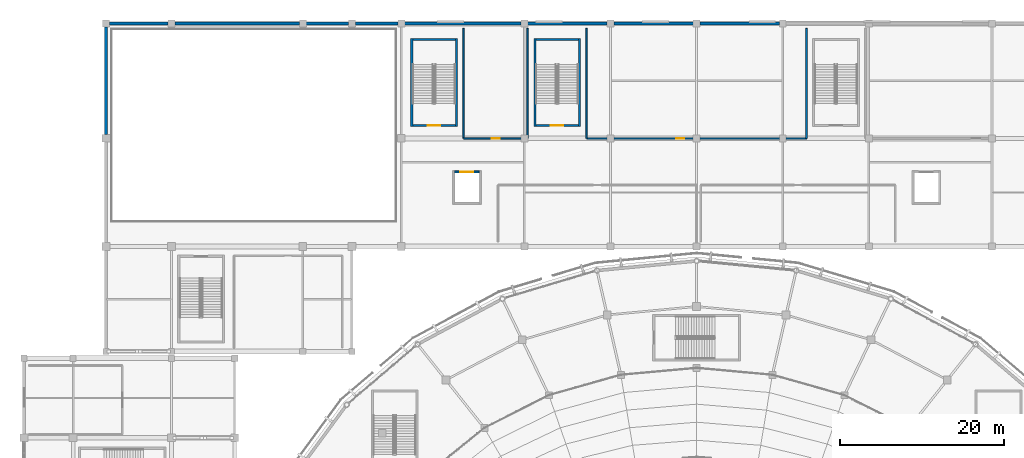
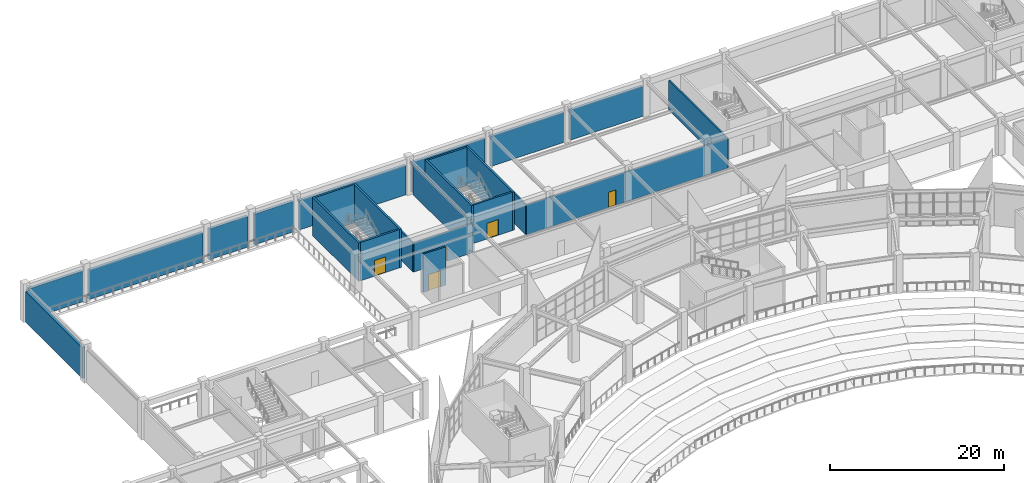
# One storey, part 84 of 120: 24 walls, 5 doors, 5 openings.
"""IFC4 building model written with IfcOpenShell, lengths in metres."""

from ifc_helpers import new_model, si_unit, direction, frame, frame_2d, origin, place, context, subcontext, project, spatial, rectangle, extrude, material, layer, layer_set, type_object, element, fill, save


model = new_model("IFC4")

# Units and contexts
model_context = context("Model", 3, precision=1e-05, world=origin(), true_north=direction((0.0, 1.0)))
body_context = subcontext(model_context, "Body", "Model", "MODEL_VIEW")
ifc_project = project(units=[si_unit("LENGTHUNIT", "METRE"), si_unit("AREAUNIT", "SQUARE_METRE"), si_unit("VOLUMEUNIT", "CUBIC_METRE"), si_unit("PLANEANGLEUNIT", "RADIAN"), si_unit("MASSUNIT", "GRAM", prefix="KILO")], contexts=[model_context])

# Site, building, storey
site_placement = place(None, origin())
site = spatial("IfcSite", under=ifc_project, at=site_placement, CompositionType="ELEMENT")
building_placement = place(site_placement, origin())
building = spatial("IfcBuilding", under=site, at=building_placement, Name="Cuetzalor Civic Arena", CompositionType="ELEMENT")
storey_placement = place(building_placement, frame((0.0, 0.0, 6.0)))
storey = spatial("IfcBuildingStorey", under=building, at=storey_placement, Name="L01", CompositionType="ELEMENT", Elevation=6.0)

# Walls
ifc_material_1 = material(Name="Dark volcanic basalt ashlar on Concrete C35/45", Category="masonry")
ifc_layer_1 = layer(ifc_material_1, 0.35009765625)
ifc_layer_set_1 = layer_set([ifc_layer_1], Name="Dark volcanic basalt ashlar on Concrete C35/45")
wall_type_1 = type_object("IfcWallType", Name="BasaltAshlarWall_350", PredefinedType="SOLIDWALL", material=ifc_layer_set_1)
wall_1_placement = place(storey_placement, frame((-71.593017578125, 75.5, 0.0), z_axis=(0.0, 0.0, 1.0), x_axis=(1.0, 0.0, 0.0)))
element("IfcWall", 1, at=wall_1_placement, inside=storey, type_object=wall_type_1, Name="North Basalt Facade Wall L01-201", PredefinedType="SOLIDWALL", context=body_context, shape_type="SweptSolid", body=[
    extrude(rectangle(XDim=7.18603515625, YDim=0.35009765625, at=frame_2d((3.593017578125, 0.0))), origin(), (0.0, 0.0, 1.0), 4.320068359375),
])
wall_2_placement = place(storey_placement, frame((-63.593017578125, 75.5, 0.0), z_axis=(0.0, 0.0, 1.0), x_axis=(1.0, 0.0, 0.0)))
element("IfcWall", 2, at=wall_2_placement, inside=storey, type_object=wall_type_1, Name="North Basalt Facade Wall L01-202", PredefinedType="SOLIDWALL", context=body_context, shape_type="SweptSolid", body=[
    extrude(rectangle(XDim=15.18603515625, YDim=0.35009765625, at=frame_2d((7.593017578125, 0.0))), origin(), (0.0, 0.0, 1.0), 4.1201171875),
])
for number, where, z_axis, x_axis, name in (
    (3, (-47.593017578125, 75.5, 0.0), (0.0, 0.0, 1.0), (1.0, 0.0, 0.0), "North Basalt Facade Wall L01-203"),
    (4, (-41.593017578125, 75.5, 0.0), (0.0, 0.0, 1.0), (1.0, 0.0, 0.0), "North Basalt Facade Wall L01-204"),
):
    element("IfcWall", number, at=place(storey_placement, frame(where, z_axis=z_axis, x_axis=x_axis)), inside=storey, type_object=wall_type_1, Name=name, PredefinedType="SOLIDWALL", context=body_context, shape_type="SweptSolid", body=[
        extrude(rectangle(XDim=5.18603515625, YDim=0.35009765625, at=frame_2d((2.593017578125, 0.0))), origin(), (0.0, 0.0, 1.0), 4.320068359375),
    ])
wall_3_placement = place(storey_placement, frame((-35.593017578125, 75.5, 0.0), z_axis=(0.0, 0.0, 1.0), x_axis=(1.0, 0.0, 0.0)))
element("IfcWall", 5, at=wall_3_placement, inside=storey, type_object=wall_type_1, Name="North Basalt Facade Wall L01-205", PredefinedType="SOLIDWALL", context=body_context, shape_type="SweptSolid", body=[
    extrude(rectangle(XDim=14.18603515625, YDim=0.35009765625, at=frame_2d((7.093017578125, 0.0))), origin(), (0.0, 0.0, 1.0), 4.1201171875),
])
for number, where, z_axis, x_axis, name in (
    (6, (-20.593017578125, 75.5, 0.0), (0.0, 0.0, 1.0), (1.0, 0.0, 0.0), "North Basalt Facade Wall L01-206"),
    (7, (-10.093017578125, 75.5, 0.0), (0.0, 0.0, 1.0), (1.0, 0.0, 0.0), "North Basalt Facade Wall L01-207"),
    (8, (0.406982421875, 75.5, 0.0), (0.0, 0.0, 1.0), (1.0, 0.0, 0.0), "North Basalt Facade Wall L01-208"),
):
    element("IfcWall", number, at=place(storey_placement, frame(where, z_axis=z_axis, x_axis=x_axis)), inside=storey, type_object=wall_type_1, Name=name, PredefinedType="SOLIDWALL", context=body_context, shape_type="SweptSolid", body=[
        extrude(rectangle(XDim=9.68603515625, YDim=0.35009765625, at=frame_2d((4.843017578125, 0.0))), origin(), (0.0, 0.0, 1.0), 4.219970703125),
    ])
wall_4_placement = place(storey_placement, frame((-72.0, 61.95703125, 0.0), z_axis=(0.0, 0.0, 1.0), x_axis=(0.0, 1.0, 0.0)))
element("IfcWall", 9, at=wall_4_placement, inside=storey, type_object=wall_type_1, Name="North Wing West Basalt Wall L01-243", PredefinedType="SOLIDWALL", context=body_context, shape_type="SweptSolid", body=[
    extrude(rectangle(XDim=13.135986328125, YDim=0.35009765625, at=frame_2d((6.56787109375, 0.0))), origin(), (0.0, 0.0, 1.0), 4.320068359375),
])
ifc_material_2 = material(Name="Concrete C40/50", Category="concrete")
ifc_layer_2 = layer(ifc_material_2, 0.25)
ifc_layer_set_2 = layer_set([ifc_layer_2], Name="Concrete C40/50")
wall_type_2 = type_object("IfcWallType", Name="ConcreteCoreShearWall_250", PredefinedType="SHEAR", material=ifc_layer_set_2)
wall_5_placement = place(storey_placement, frame((-34.72509765625, 62.949951171875, 0.0), z_axis=(0.0, 0.0, 1.0), x_axis=(0.0, 1.0, 0.0)))
element("IfcWall", 10, at=wall_5_placement, inside=storey, type_object=wall_type_2, Name="Stair Core Shear Wall ST-24-L01-W", PredefinedType="SHEAR", context=body_context, shape_type="SweptSolid", body=[
    extrude(rectangle(XDim=10.699951171875, YDim=0.25, at=frame_2d((5.35009765625, 0.0))), origin(), (0.0, 0.0, 1.0), 5.39990234375),
])
wall_6_placement = place(storey_placement, frame((-34.60009765625, 73.52490234375, 0.0), z_axis=(0.0, 0.0, 1.0), x_axis=(1.0, 0.0, 0.0)))
element("IfcWall", 11, at=wall_6_placement, inside=storey, type_object=wall_type_2, Name="Stair Core Shear Wall ST-24-L01-N", PredefinedType="SHEAR", context=body_context, shape_type="SweptSolid", body=[
    extrude(rectangle(XDim=5.2001953125, YDim=0.25, at=frame_2d((2.60009765625, 0.0))), origin(), (0.0, 0.0, 1.0), 5.39990234375),
])
wall_7_placement = place(storey_placement, frame((-29.27490234375, 73.64990234375, 0.0), z_axis=(0.0, 0.0, 1.0), x_axis=(0.0, -1.0, 0.0)))
element("IfcWall", 12, at=wall_7_placement, inside=storey, type_object=wall_type_2, Name="Stair Core Shear Wall ST-24-L01-E", PredefinedType="SHEAR", context=body_context, shape_type="SweptSolid", body=[
    extrude(rectangle(XDim=10.699951171875, YDim=0.25, at=frame_2d((5.35009765625, 0.0))), origin(), (0.0, 0.0, 1.0), 5.39990234375),
])

# Wall, opening, door
wall_8_placement = place(storey_placement, frame((-29.39990234375, 63.074951171875, 0.0), z_axis=(0.0, 0.0, 1.0), x_axis=(-1.0, 0.0, 0.0)))
wall_8 = element("IfcWall", 13, at=wall_8_placement, inside=storey, type_object=wall_type_2, Name="Stair Core Shear Wall ST-24-L01-S", PredefinedType="SHEAR", context=body_context, shape_type="SweptSolid", body=[
    extrude(rectangle(XDim=5.2001953125, YDim=0.25, at=frame_2d((2.60009765625, 0.0))), origin(), (0.0, 0.0, 1.0), 5.39990234375),
])
opening_1_placement = place(wall_8_placement, frame((1.85009765625, 0.0, 0.0)))
opening_1 = element("IfcOpeningElement", 14, at=opening_1_placement, cuts=wall_8, Name="Opening FD-03", PredefinedType="OPENING", context=body_context, shape_type="SweptSolid", body=[
    extrude(rectangle(XDim=1.5, YDim=2.199951171875, at=frame_2d((0.75, 1.10009765625))), frame((0.0, 0.135009765625, 0.0), z_axis=(0.0, -1.0, 0.0), x_axis=(1.0, 0.0, 0.0)), (0.0, 0.0, 1.0), 0.27001953125),
])
ifc_material_3 = material(Name="Fire-rated steel stair exit double door", Category="steel")
door_type_1 = type_object("IfcDoorType", Name="StairFireDoubleDoor_1500x2200", OperationType="DOUBLE_DOOR_SINGLE_SWING", PredefinedType="DOOR", material=ifc_material_3)
door_1_placement = place(opening_1_placement, origin())
door_1 = element("IfcDoor", 15, at=door_1_placement, inside=storey, type_object=door_type_1, Name="Fire Stair Door ST-24 L01", OperationType="DOUBLE_DOOR_SINGLE_SWING", OverallHeight=2.199951171875, OverallWidth=1.5, PredefinedType="DOOR", context=body_context, shape_type="SweptSolid", body=[
    extrude(rectangle(XDim=1.5, YDim=2.199951171875, at=frame_2d((0.75, 1.10009765625))), frame((0.0, 0.02490234375, 0.0), z_axis=(0.0, -1.0, 0.0), x_axis=(1.0, 0.0, 0.0)), (0.0, 0.0, 1.0), 0.050048828125),
])
fill(opening_1, door_1)

# Walls
wall_9_placement = place(storey_placement, frame((-19.72509765625, 62.949951171875, 0.0), z_axis=(0.0, 0.0, 1.0), x_axis=(0.0, 1.0, 0.0)))
element("IfcWall", 16, at=wall_9_placement, inside=storey, type_object=wall_type_2, Name="Stair Core Shear Wall ST-25-L01-W", PredefinedType="SHEAR", context=body_context, shape_type="SweptSolid", body=[
    extrude(rectangle(XDim=10.699951171875, YDim=0.25, at=frame_2d((5.35009765625, 0.0))), origin(), (0.0, 0.0, 1.0), 5.39990234375),
])
wall_10_placement = place(storey_placement, frame((-19.60009765625, 73.52490234375, 0.0), z_axis=(0.0, 0.0, 1.0), x_axis=(1.0, 0.0, 0.0)))
element("IfcWall", 17, at=wall_10_placement, inside=storey, type_object=wall_type_2, Name="Stair Core Shear Wall ST-25-L01-N", PredefinedType="SHEAR", context=body_context, shape_type="SweptSolid", body=[
    extrude(rectangle(XDim=5.2001953125, YDim=0.25, at=frame_2d((2.60009765625, 0.0))), origin(), (0.0, 0.0, 1.0), 5.39990234375),
])
wall_11_placement = place(storey_placement, frame((-14.27490234375, 73.64990234375, 0.0), z_axis=(0.0, 0.0, 1.0), x_axis=(0.0, -1.0, 0.0)))
element("IfcWall", 18, at=wall_11_placement, inside=storey, type_object=wall_type_2, Name="Stair Core Shear Wall ST-25-L01-E", PredefinedType="SHEAR", context=body_context, shape_type="SweptSolid", body=[
    extrude(rectangle(XDim=10.699951171875, YDim=0.25, at=frame_2d((5.35009765625, 0.0))), origin(), (0.0, 0.0, 1.0), 5.39990234375),
])

# Wall, opening, door
wall_12_placement = place(storey_placement, frame((-14.39990234375, 63.074951171875, 0.0), z_axis=(0.0, 0.0, 1.0), x_axis=(-1.0, 0.0, 0.0)))
wall_12 = element("IfcWall", 19, at=wall_12_placement, inside=storey, type_object=wall_type_2, Name="Stair Core Shear Wall ST-25-L01-S", PredefinedType="SHEAR", context=body_context, shape_type="SweptSolid", body=[
    extrude(rectangle(XDim=5.2001953125, YDim=0.25, at=frame_2d((2.60009765625, 0.0))), origin(), (0.0, 0.0, 1.0), 5.39990234375),
])
opening_2_placement = place(wall_12_placement, frame((1.85009765625, 0.0, 0.0)))
opening_2 = element("IfcOpeningElement", 20, at=opening_2_placement, cuts=wall_12, Name="Opening FD-03", PredefinedType="OPENING", context=body_context, shape_type="SweptSolid", body=[
    extrude(rectangle(XDim=1.5, YDim=2.199951171875, at=frame_2d((0.75, 1.10009765625))), frame((0.0, 0.135009765625, 0.0), z_axis=(0.0, -1.0, 0.0), x_axis=(1.0, 0.0, 0.0)), (0.0, 0.0, 1.0), 0.27001953125),
])
door_2_placement = place(opening_2_placement, origin())
door_2 = element("IfcDoor", 21, at=door_2_placement, inside=storey, type_object=door_type_1, Name="Fire Stair Door ST-25 L01", OperationType="DOUBLE_DOOR_SINGLE_SWING", OverallHeight=2.199951171875, OverallWidth=1.5, PredefinedType="DOOR", context=body_context, shape_type="SweptSolid", body=[
    extrude(rectangle(XDim=1.5, YDim=2.199951171875, at=frame_2d((0.75, 1.10009765625))), frame((0.0, 0.02490234375, 0.0), z_axis=(0.0, -1.0, 0.0), x_axis=(1.0, 0.0, 0.0)), (0.0, 0.0, 1.0), 0.050048828125),
])
fill(opening_2, door_2)

ifc_material_4 = material(Name="Fire-rated masonry and gypsum partition", Category="masonry")
ifc_layer_3 = layer(ifc_material_4, 0.199951171875)
ifc_layer_set_3 = layer_set([ifc_layer_3], Name="Fire-rated masonry and gypsum partition")
wall_type_3 = type_object("IfcWallType", Name="FireCompartmentWall_200", PredefinedType="PARTITIONING", material=ifc_layer_set_3)
wall_13_placement = place(storey_placement, frame((-20.60009765625, 61.5, 0.0), z_axis=(0.0, 0.0, 1.0), x_axis=(-1.0, 0.0, 0.0)))
wall_13 = element("IfcWall", 22, at=wall_13_placement, inside=storey, type_object=wall_type_3, Name="Interior Partition IWALL:L01:0240", PredefinedType="PARTITIONING", context=body_context, shape_type="SweptSolid", body=[
    extrude(rectangle(XDim=7.7998046875, YDim=0.199951171875, at=frame_2d((3.89990234375, 0.0))), origin(), (0.0, 0.0, 1.0), 4.10498046875),
])
opening_3_placement = place(wall_13_placement, frame((3.39990234375, 0.0, 0.0)))
opening_3 = element("IfcOpeningElement", 23, at=opening_3_placement, cuts=wall_13, Name="Opening FD-01", PredefinedType="OPENING", context=body_context, shape_type="SweptSolid", body=[
    extrude(rectangle(XDim=1.0, YDim=2.14990234375, at=frame_2d((0.5, 1.074951171875))), frame((0.0, 0.10986328125, 0.0), z_axis=(0.0, -1.0, 0.0), x_axis=(1.0, 0.0, 0.0)), (0.0, 0.0, 1.0), 0.219970703125),
])
ifc_material_5 = material(Name="Fire-rated insulated steel door", Category="steel")
door_type_2 = type_object("IfcDoorType", Name="FireSingleDoor_1000x2150", OperationType="NOTDEFINED", PredefinedType="DOOR", material=ifc_material_5)
door_3_placement = place(opening_3_placement, origin())
door_3 = element("IfcDoor", 24, at=door_3_placement, inside=storey, type_object=door_type_2, Name="Door to Central Chiller Plant", OperationType="SINGLE_SWING_LEFT", OverallHeight=2.14990234375, OverallWidth=1.0, PredefinedType="DOOR", context=body_context, shape_type="SweptSolid", body=[
    extrude(rectangle(XDim=1.0, YDim=2.14990234375, at=frame_2d((0.5, 1.074951171875))), frame((0.0, 0.02490234375, 0.0), z_axis=(0.0, -1.0, 0.0), x_axis=(1.0, 0.0, 0.0)), (0.0, 0.0, 1.0), 0.050048828125),
])
fill(opening_3, door_3)

# Walls
wall_14_placement = place(storey_placement, frame((-20.60009765625, 74.89990234375, 0.0), z_axis=(0.0, 0.0, 1.0), x_axis=(0.0, -1.0, 0.0)))
element("IfcWall", 25, at=wall_14_placement, inside=storey, type_object=wall_type_3, Name="Interior Partition IWALL:L01:0241", PredefinedType="PARTITIONING", context=body_context, shape_type="SweptSolid", body=[
    extrude(rectangle(XDim=13.39990234375, YDim=0.199951171875, at=frame_2d((6.699951171875, 0.0))), origin(), (0.0, 0.0, 1.0), 4.205078125),
])
wall_15_placement = place(storey_placement, frame((-28.39990234375, 61.5, 0.0), z_axis=(0.0, 0.0, 1.0), x_axis=(0.0, 1.0, 0.0)))
element("IfcWall", 26, at=wall_15_placement, inside=storey, type_object=wall_type_3, Name="Interior Partition IWALL:L01:0242", PredefinedType="PARTITIONING", context=body_context, shape_type="SweptSolid", body=[
    extrude(rectangle(XDim=13.39990234375, YDim=0.199951171875, at=frame_2d((6.699951171875, 0.0))), origin(), (0.0, 0.0, 1.0), 4.10498046875),
])

# Wall, opening, door
wall_16_placement = place(storey_placement, frame((13.39990234375, 61.5, 0.0), z_axis=(0.0, 0.0, 1.0), x_axis=(-1.0, 0.0, 0.0)))
wall_16 = element("IfcWall", 27, at=wall_16_placement, inside=storey, type_object=wall_type_3, Name="Interior Partition IWALL:L01:0243", PredefinedType="PARTITIONING", context=body_context, shape_type="SweptSolid", body=[
    extrude(rectangle(XDim=26.7998046875, YDim=0.199951171875, at=frame_2d((13.39990234375, 0.0))), origin(), (0.0, 0.0, 1.0), 4.205078125),
])
opening_4_placement = place(wall_16_placement, frame((14.89990234375, 0.0, 0.0)))
opening_4 = element("IfcOpeningElement", 28, at=opening_4_placement, cuts=wall_16, Name="Opening FD-01", PredefinedType="OPENING", context=body_context, shape_type="SweptSolid", body=[
    extrude(rectangle(XDim=1.0, YDim=2.14990234375, at=frame_2d((0.5, 1.074951171875))), frame((0.0, 0.10986328125, 0.0), z_axis=(0.0, -1.0, 0.0), x_axis=(1.0, 0.0, 0.0)), (0.0, 0.0, 1.0), 0.219970703125),
])
door_4_placement = place(opening_4_placement, origin())
door_4 = element("IfcDoor", 29, at=door_4_placement, inside=storey, type_object=door_type_2, Name="Door to Emergency Generator Plant", OperationType="SINGLE_SWING_RIGHT", OverallHeight=2.14990234375, OverallWidth=1.0, PredefinedType="DOOR", context=body_context, shape_type="SweptSolid", body=[
    extrude(rectangle(XDim=1.0, YDim=2.14990234375, at=frame_2d((0.5, 1.074951171875))), frame((0.0, 0.02490234375, 0.0), z_axis=(0.0, -1.0, 0.0), x_axis=(1.0, 0.0, 0.0)), (0.0, 0.0, 1.0), 0.050048828125),
])
fill(opening_4, door_4)

# Walls
for number, where, z_axis, x_axis, name in (
    (30, (13.39990234375, 74.89990234375, 0.0), (0.0, 0.0, 1.0), (0.0, -1.0, 0.0), "Interior Partition IWALL:L01:0244"),
    (31, (-13.39990234375, 61.5, 0.0), (0.0, 0.0, 1.0), (0.0, 1.0, 0.0), "Interior Partition IWALL:L01:0245"),
):
    element("IfcWall", number, at=place(storey_placement, frame(where, z_axis=z_axis, x_axis=x_axis)), inside=storey, type_object=wall_type_3, Name=name, PredefinedType="PARTITIONING", context=body_context, shape_type="SweptSolid", body=[
        extrude(rectangle(XDim=13.39990234375, YDim=0.199951171875, at=frame_2d((6.699951171875, 0.0))), origin(), (0.0, 0.0, 1.0), 4.205078125),
    ])

# Wall, opening, door
ifc_material_6 = material(Name="Concrete C40/50", Category="concrete")
ifc_layer_4 = layer(ifc_material_6, 0.219970703125)
ifc_layer_set_4 = layer_set([ifc_layer_4], Name="Concrete C40/50")
wall_type_4 = type_object("IfcWallType", Name="LiftShaftShearWall_220", PredefinedType="SHEAR", material=ifc_layer_set_4)
wall_17_placement = place(storey_placement, frame((-29.5, 57.409912109375, 0.0), z_axis=(0.0, 0.0, 1.0), x_axis=(1.0, 0.0, 0.0)))
wall_17 = element("IfcWall", 32, at=wall_17_placement, inside=storey, type_object=wall_type_4, Name="Lift Shaft Wall LS-01-L01-N", PredefinedType="SHEAR", context=body_context, shape_type="SweptSolid", body=[
    extrude(rectangle(XDim=3.0, YDim=0.219970703125, at=frame_2d((1.5, 0.0))), origin(), (0.0, 0.0, 1.0), 5.39990234375),
])
opening_5_placement = place(wall_17_placement, frame((0.699951171875, 0.0, 0.0)))
opening_5 = element("IfcOpeningElement", 33, at=opening_5_placement, cuts=wall_17, Name="Opening LD-03", PredefinedType="OPENING", context=body_context, shape_type="SweptSolid", body=[
    extrude(rectangle(XDim=1.60009765625, YDim=2.300048828125, at=frame_2d((0.800048828125, 1.14990234375))), frame((0.0, 0.1201171875, 0.0), z_axis=(0.0, -1.0, 0.0), x_axis=(1.0, 0.0, 0.0)), (0.0, 0.0, 1.0), 0.239990234375),
])
ifc_material_7 = material(Name="Heavy freight stainless steel sliding lift landing door", Category="steel")
door_type_3 = type_object("IfcDoorType", Name="LiftLandingSlidingDoor_1600x2300", OperationType="SLIDING_TO_LEFT", PredefinedType="DOOR", material=ifc_material_7)
door_5_placement = place(opening_5_placement, origin())
door_5 = element("IfcDoor", 34, at=door_5_placement, inside=storey, type_object=door_type_3, Name="Lift Landing Sliding Door LS-01 L01", OperationType="SLIDING_TO_LEFT", OverallHeight=2.300048828125, OverallWidth=1.60009765625, PredefinedType="DOOR", context=body_context, shape_type="SweptSolid", body=[
    extrude(rectangle(XDim=1.60009765625, YDim=2.300048828125, at=frame_2d((0.800048828125, 1.14990234375))), frame((0.0, 0.02490234375, 0.0), z_axis=(0.0, -1.0, 0.0), x_axis=(1.0, 0.0, 0.0)), (0.0, 0.0, 1.0), 0.050048828125),
])
fill(opening_5, door_5)

save(model, "model.ifc")
